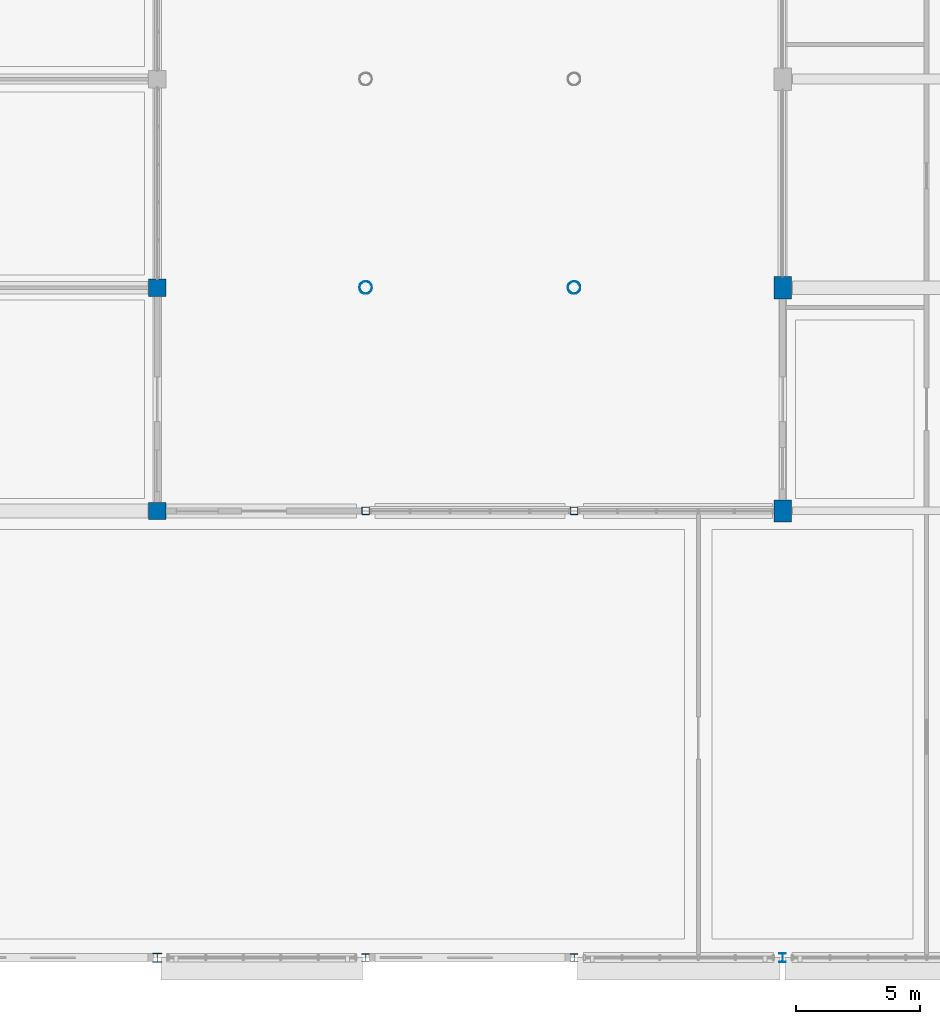
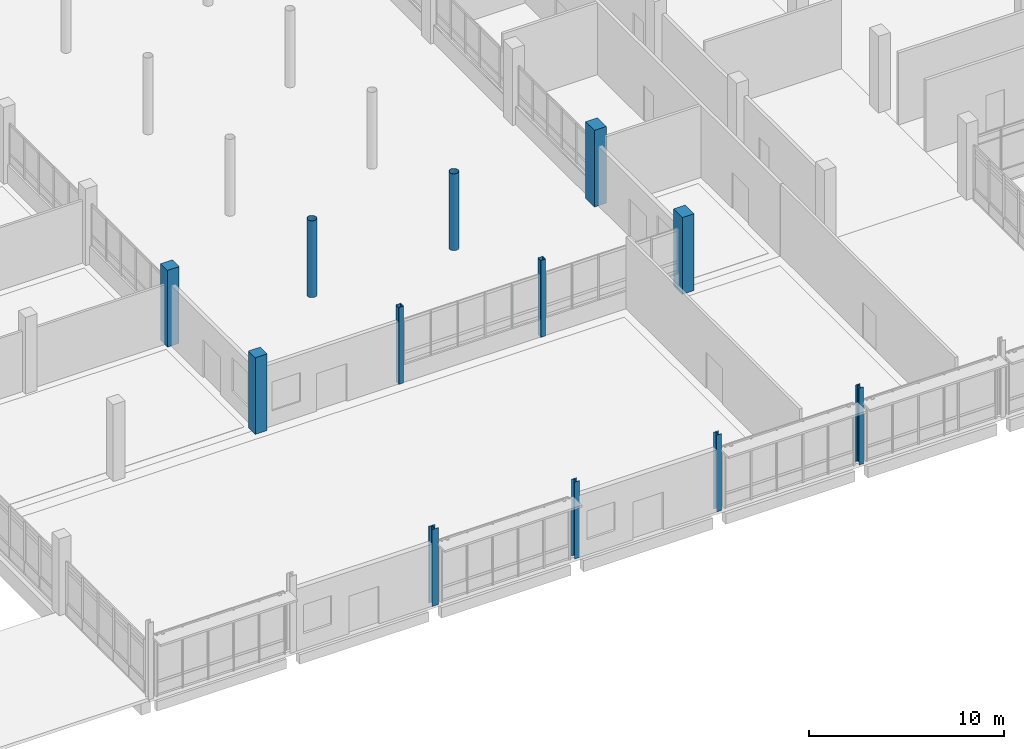
# One storey, part 4 of 95: 12 columns.
"""IFC4 building model written with IfcOpenShell, lengths in metres."""

from ifc_helpers import new_model, si_unit, direction, frame, origin, origin_2d, place, context, subcontext, project, spatial, rectangle, hollow_rectangle, hollow_circle, i_section, extrude, material, material_profile, profile_set, type_object, element, save


model = new_model("IFC4")

# Units and contexts
model_context = context("Model", 3, precision=1e-05, world=origin(), true_north=direction((0.0, 1.0)))
body_context = subcontext(model_context, "Body", "Model", "MODEL_VIEW")
ifc_project = project(units=[si_unit("LENGTHUNIT", "METRE"), si_unit("AREAUNIT", "SQUARE_METRE"), si_unit("VOLUMEUNIT", "CUBIC_METRE"), si_unit("PLANEANGLEUNIT", "RADIAN"), si_unit("MASSUNIT", "GRAM", prefix="KILO")], contexts=[model_context])

# Site, building, storey
site_placement = place(None, origin())
site = spatial("IfcSite", under=ifc_project, at=site_placement, CompositionType="ELEMENT")
building_placement = place(site_placement, origin())
building = spatial("IfcBuilding", under=site, at=building_placement, Name="Vireocrest Preparatory School", CompositionType="ELEMENT")
storey_placement = place(building_placement, origin())
storey = spatial("IfcBuildingStorey", under=building, at=storey_placement, Name="L00", CompositionType="ELEMENT", Elevation=0.0)

# Columns
ifc_material_1 = material(Name="Concrete 45 MPa", Category="concrete")
ifc_material_profile_1 = material_profile(ifc_material_1, rectangle(XDim=0.699951171875, YDim=0.699951171875, at=origin_2d()), Name="RC 700x700")
ifc_profile_set_1 = profile_set([ifc_material_profile_1], Name="Concrete 45 MPa")
column_type_1 = type_object("IfcColumnType", Name="RC Column 700x700", PredefinedType="COLUMN", material=ifc_profile_set_1)
for number, where, z_axis, x_axis, name in (
    (1, (67.199951171875, 18.0, 0.0), (0.0, 0.0, 1.0), (1.0, 0.0, 0.0), "Column C07 L00 9/C"),
    (2, (67.199951171875, 27.0, 0.0), (0.0, 0.0, 1.0), (1.0, 0.0, 0.0), "Column C07 L00 9/D"),
):
    element("IfcColumn", number, at=place(storey_placement, frame(where, z_axis=z_axis, x_axis=x_axis)), inside=storey, type_object=column_type_1, Name=name, PredefinedType="COLUMN", context=body_context, shape_type="SweptSolid", body=[
        extrude(rectangle(XDim=0.699951171875, YDim=0.699951171875, at=origin_2d()), origin(), (0.0, 0.0, 1.0), 4.800048828125),
    ])
ifc_material_profile_2 = material_profile(ifc_material_1, rectangle(XDim=0.699951171875, YDim=0.89990234375, at=origin_2d()), Name="RC 700x900")
ifc_profile_set_2 = profile_set([ifc_material_profile_2], Name="Concrete 45 MPa")
column_type_2 = type_object("IfcColumnType", Name="RC Transfer Column 700x900", PredefinedType="COLUMN", material=ifc_profile_set_2)
for number, where, z_axis, x_axis, name in (
    (3, (92.39990234375, 18.0, 0.0), (0.0, 0.0, 1.0), (1.0, 0.0, 0.0), "Column C16 L00 12/C"),
    (4, (92.39990234375, 27.0, 0.0), (0.0, 0.0, 1.0), (1.0, 0.0, 0.0), "Column C16 L00 12/D"),
):
    element("IfcColumn", number, at=place(storey_placement, frame(where, z_axis=z_axis, x_axis=x_axis)), inside=storey, type_object=column_type_2, Name=name, PredefinedType="COLUMN", context=body_context, shape_type="SweptSolid", body=[
        extrude(rectangle(XDim=0.699951171875, YDim=0.89990234375, at=origin_2d()), origin(), (0.0, 0.0, 1.0), 4.800048828125),
    ])
ifc_material_2 = material(Name="Structural steel ASTM A992 Grade 50", Category="steel")
ifc_material_profile_3 = material_profile(ifc_material_2, i_section(OverallWidth=0.256103515625, OverallDepth=0.360107421875, WebThickness=0.011474609375, FlangeThickness=0.02001953125, FilletRadius=0.014892578125, at=origin_2d()), Name="W14X74")
ifc_profile_set_3 = profile_set([ifc_material_profile_3], Name="Structural steel ASTM A992 Grade 50")
column_type_3 = type_object("IfcColumnType", Name="Steel Gable Column W14X74", PredefinedType="COLUMN", material=ifc_profile_set_3)
column_1_placement = place(storey_placement, frame((92.39990234375, 0.0, 0.0), z_axis=(0.0, 0.0, 1.0), x_axis=(1.0, 0.0, 0.0)))
element("IfcColumn", 5, at=column_1_placement, inside=storey, type_object=column_type_3, Name="Column SC2 L00 12/A", PredefinedType="COLUMN", context=body_context, shape_type="SweptSolid", body=[
    extrude(i_section(OverallWidth=0.256103515625, OverallDepth=0.360107421875, WebThickness=0.011474609375, FlangeThickness=0.02001953125, FilletRadius=0.014892578125, at=origin_2d()), origin(), (0.0, 0.0, 1.0), 4.800048828125),
])
ifc_material_profile_4 = material_profile(ifc_material_2, i_section(OverallWidth=0.368896484375, OverallDepth=0.35595703125, WebThickness=0.01123046875, FlangeThickness=0.01806640625, FilletRadius=0.014892578125, at=origin_2d()), Name="W14X90")
ifc_profile_set_4 = profile_set([ifc_material_profile_4], Name="Structural steel ASTM A992 Grade 50")
column_type_4 = type_object("IfcColumnType", Name="Steel Gable Column W14X90", PredefinedType="COLUMN", material=ifc_profile_set_4)
column_2_placement = place(storey_placement, frame((67.199951171875, 0.0, 0.0), z_axis=(0.0, 0.0, 1.0), x_axis=(1.0, 0.0, 0.0)))
element("IfcColumn", 6, at=column_2_placement, inside=storey, type_object=column_type_4, Name="Column SC1 L00 9/A", PredefinedType="COLUMN", context=body_context, shape_type="SweptSolid", body=[
    extrude(i_section(OverallWidth=0.368896484375, OverallDepth=0.35595703125, WebThickness=0.01123046875, FlangeThickness=0.01806640625, FilletRadius=0.014892578125, at=origin_2d()), origin(), (0.0, 0.0, 1.0), 4.800048828125),
])
ifc_material_3 = material(Name="Structural steel ASTM A500 Grade C", Category="steel")
ifc_material_profile_5 = material_profile(ifc_material_3, hollow_rectangle(XDim=0.3046875, YDim=0.3046875, WallThickness=0.01171875, InnerFilletRadius=0.01171875, OuterFilletRadius=0.023681640625, at=origin_2d()), Name="HSS12X12X1/2")
ifc_profile_set_5 = profile_set([ifc_material_profile_5], Name="Structural steel ASTM A500 Grade C")
column_type_5 = type_object("IfcColumnType", Name="Steel Link Column HSS12X12X1/2", PredefinedType="COLUMN", material=ifc_profile_set_5)
for number, where, z_axis, x_axis, name in (
    (7, (75.60009765625, 18.0, 0.0), (0.0, 0.0, 1.0), (1.0, 0.0, 0.0), "Column SC4 L00 10/C"),
    (8, (84.0, 18.0, 0.0), (0.0, 0.0, 1.0), (1.0, 0.0, 0.0), "Column SC4 L00 11/C"),
):
    element("IfcColumn", number, at=place(storey_placement, frame(where, z_axis=z_axis, x_axis=x_axis)), inside=storey, type_object=column_type_5, Name=name, PredefinedType="COLUMN", context=body_context, shape_type="SweptSolid", body=[
        extrude(hollow_rectangle(XDim=0.3046875, YDim=0.3046875, WallThickness=0.01171875, InnerFilletRadius=0.01171875, OuterFilletRadius=0.023681640625, at=origin_2d()), origin(), (0.0, 0.0, 1.0), 4.800048828125),
    ])
ifc_material_profile_6 = material_profile(ifc_material_2, i_section(OverallWidth=0.304931640625, OverallDepth=0.30810546875, WebThickness=0.010009765625, FlangeThickness=0.015380859375, FilletRadius=0.012939453125, at=origin_2d()), Name="W12X65")
ifc_profile_set_6 = profile_set([ifc_material_profile_6], Name="Structural steel ASTM A992 Grade 50")
column_type_6 = type_object("IfcColumnType", Name="Steel Pavilion Column W12X65", PredefinedType="COLUMN", material=ifc_profile_set_6)
for number, where, z_axis, x_axis, name in (
    (9, (75.60009765625, 0.0, 0.0), (0.0, 0.0, 1.0), (1.0, 0.0, 0.0), "Column SC3 L00 10/A"),
    (10, (84.0, 0.0, 0.0), (0.0, 0.0, 1.0), (1.0, 0.0, 0.0), "Column SC3 L00 11/A"),
):
    element("IfcColumn", number, at=place(storey_placement, frame(where, z_axis=z_axis, x_axis=x_axis)), inside=storey, type_object=column_type_6, Name=name, PredefinedType="COLUMN", context=body_context, shape_type="SweptSolid", body=[
        extrude(i_section(OverallWidth=0.304931640625, OverallDepth=0.30810546875, WebThickness=0.010009765625, FlangeThickness=0.015380859375, FilletRadius=0.012939453125, at=origin_2d()), origin(), (0.0, 0.0, 1.0), 4.800048828125),
    ])
ifc_material_4 = material(Name="Painted white steel ASTM A500 Grade C", Category="steel")
ifc_material_profile_7 = material_profile(ifc_material_4, hollow_circle(Radius=0.25390625, WallThickness=0.0126953125, at=origin_2d()), Name="HSS20.000X0.500")
ifc_profile_set_7 = profile_set([ifc_material_profile_7], Name="Painted white steel ASTM A500 Grade C")
column_type_7 = type_object("IfcColumnType", Name="White Steel Court Trunk HSS20.000X0.500", PredefinedType="USERDEFINED", material=ifc_profile_set_7)
for number, where, z_axis, x_axis, name in (
    (11, (75.60009765625, 27.0, 0.0), (0.0, 0.0, 1.0), (1.0, 0.0, 0.0), "Court Canopy Trunk VC1 W1 L00"),
    (12, (84.0, 27.0, 0.0), (0.0, 0.0, 1.0), (1.0, 0.0, 0.0), "Court Canopy Trunk VC1 E1 L00"),
):
    element("IfcColumn", number, at=place(storey_placement, frame(where, z_axis=z_axis, x_axis=x_axis)), inside=storey, type_object=column_type_7, Name=name, ObjectType="PILOTI", PredefinedType="USERDEFINED", context=body_context, shape_type="SweptSolid", body=[
        extrude(hollow_circle(Radius=0.25390625, WallThickness=0.0126953125, at=origin_2d()), origin(), (0.0, 0.0, 1.0), 4.800048828125),
    ])

save(model, "model.ifc")
